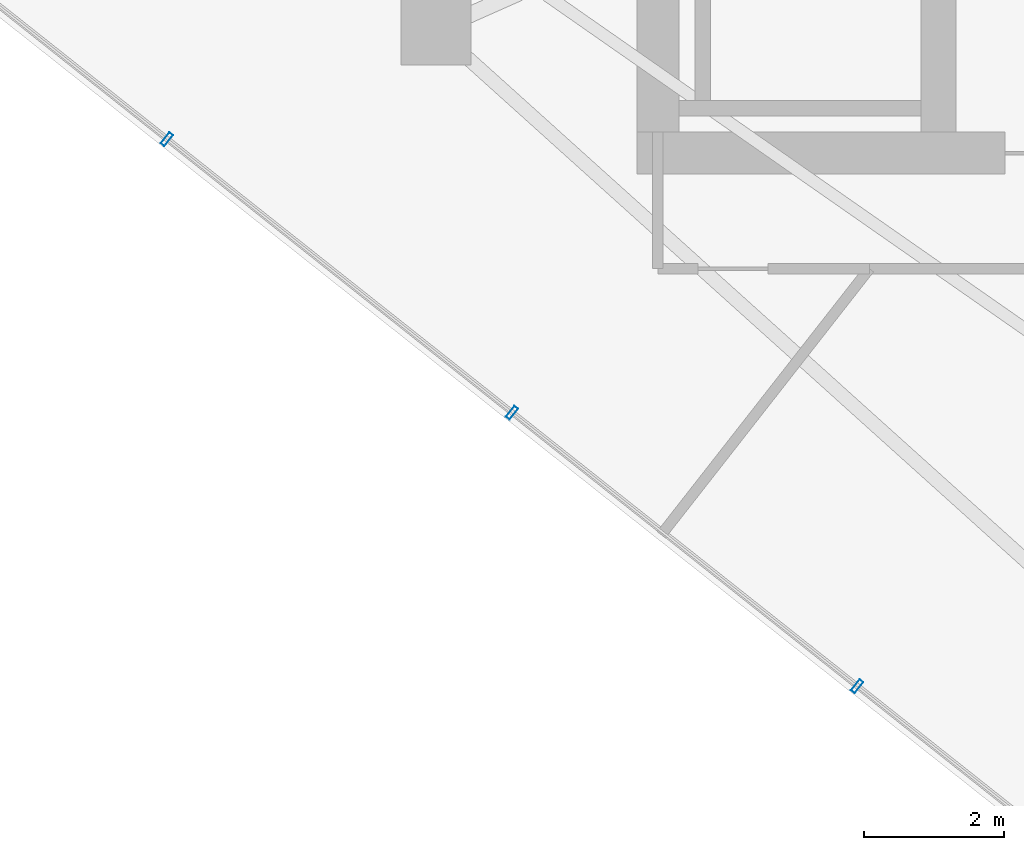
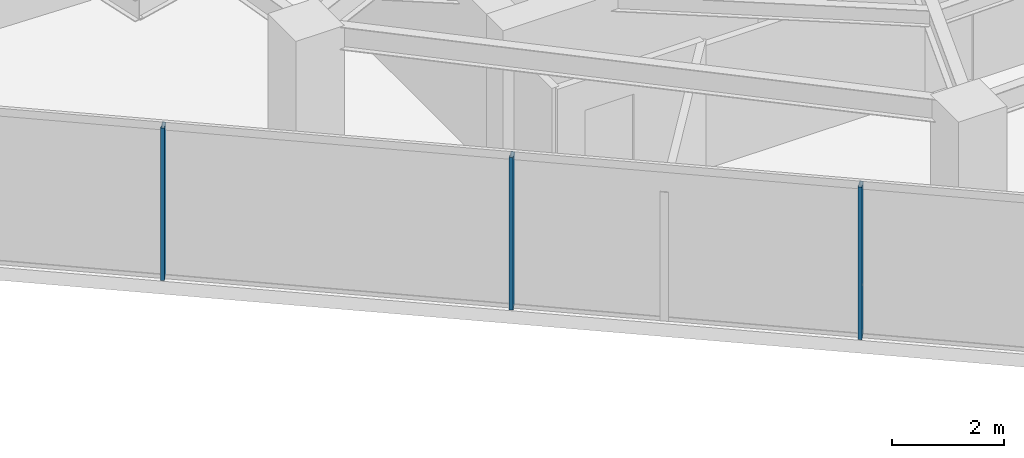
# One storey, part 2 of 20: 3 members, 1 element without a shape of its own.
"""IFC4 building model written with IfcOpenShell, lengths in metres."""

from ifc_helpers import new_model, si_unit, direction, frame, origin, origin_2d, place, context, subcontext, project, spatial, hollow_rectangle, extrude, material, layer, layer_set, material_profile, profile_set, type_object, element, aggregate, save


model = new_model("IFC4")

# Units and contexts
model_context = context("Model", 3, precision=1e-05, world=origin(), true_north=direction((0.0, 1.0)))
body_context = subcontext(model_context, "Body", "Model", "MODEL_VIEW")
ifc_project = project(units=[si_unit("LENGTHUNIT", "METRE"), si_unit("AREAUNIT", "SQUARE_METRE"), si_unit("VOLUMEUNIT", "CUBIC_METRE"), si_unit("PLANEANGLEUNIT", "RADIAN"), si_unit("MASSUNIT", "GRAM", prefix="KILO")], contexts=[model_context])

# Site, building, storey
site_placement = place(None, origin())
site = spatial("IfcSite", under=ifc_project, at=site_placement, CompositionType="ELEMENT")
building_placement = place(site_placement, origin())
building = spatial("IfcBuilding", under=site, at=building_placement, Name="Qarnah Convention Tower", CompositionType="ELEMENT")
storey_placement = place(building_placement, frame((0.0, 0.0, 147.300048828125)))
storey = spatial("IfcBuildingStorey", under=building, at=storey_placement, Name="L39", CompositionType="ELEMENT", Elevation=147.300048828125)

# Curtain wall, members
ifc_material_1 = material(Name="Tempered Low-E dark glass", Category="glass")
ifc_layer = layer(ifc_material_1, 0.172119140625)
ifc_layer_set = layer_set([ifc_layer], Name="Tempered Low-E dark glass")
curtain_wall_type = type_object("IfcCurtainWallType", Name="CWS-03", PredefinedType="NOTDEFINED", material=ifc_layer_set)
curtain_wall_placement = place(storey_placement, origin())
curtain_wall = element("IfcCurtainWall", 1, at=curtain_wall_placement, inside=storey, type_object=curtain_wall_type, Name="L39 unitised curtain wall CW-L39-F2", PredefinedType="NOTDEFINED")
ifc_material_2 = material(Name="Black anodised aluminium", Category="aluminium")
ifc_material_profile = material_profile(ifc_material_2, hollow_rectangle(XDim=0.070068359375, YDim=0.199951171875, WallThickness=0.0048828125, at=origin_2d()), Name="MUL-70X200")
ifc_profile_set = profile_set([ifc_material_profile], Name="Black anodised aluminium")
member_type = type_object("IfcMemberType", Name="MUL-T3", PredefinedType="MULLION", material=ifc_profile_set)
member_1_placement = place(storey_placement, frame((29.642333984375, 10.98828125, 0.0), z_axis=(0.0, 0.0, 1.0), x_axis=(-0.783688882371, 0.621153552391, 0.0)))
member_1 = element("IfcMember", 2, at=member_1_placement, type_object=member_type, Name="CW-L39-F2 mullion 3", PredefinedType="MULLION", context=body_context, shape_type="SweptSolid", body=[
    extrude(hollow_rectangle(XDim=0.070068359375, YDim=0.199951171875, WallThickness=0.0048828125, at=origin_2d()), origin(), (0.0, 0.0, 1.0), 3.320068359375),
])
member_2_placement = place(storey_placement, frame((24.716552734375, 14.892578125, 0.0), z_axis=(0.0, 0.0, 1.0), x_axis=(-0.783688882371, 0.621153552391, 0.0)))
member_2 = element("IfcMember", 3, at=member_2_placement, type_object=member_type, Name="CW-L39-F2 mullion 4", PredefinedType="MULLION", context=body_context, shape_type="SweptSolid", body=[
    extrude(hollow_rectangle(XDim=0.070068359375, YDim=0.199951171875, WallThickness=0.0048828125, at=origin_2d()), origin(), (0.0, 0.0, 1.0), 3.320068359375),
])
member_3_placement = place(storey_placement, frame((19.790771484375, 18.796875, 0.0), z_axis=(0.0, 0.0, 1.0), x_axis=(-0.783688882371, 0.621153552391, 0.0)))
member_3 = element("IfcMember", 4, at=member_3_placement, type_object=member_type, Name="CW-L39-F2 mullion 5", PredefinedType="MULLION", context=body_context, shape_type="SweptSolid", body=[
    extrude(hollow_rectangle(XDim=0.070068359375, YDim=0.199951171875, WallThickness=0.0048828125, at=origin_2d()), origin(), (0.0, 0.0, 1.0), 3.320068359375),
])
aggregate(curtain_wall, [member_1, member_2, member_3])

save(model, "model.ifc")
